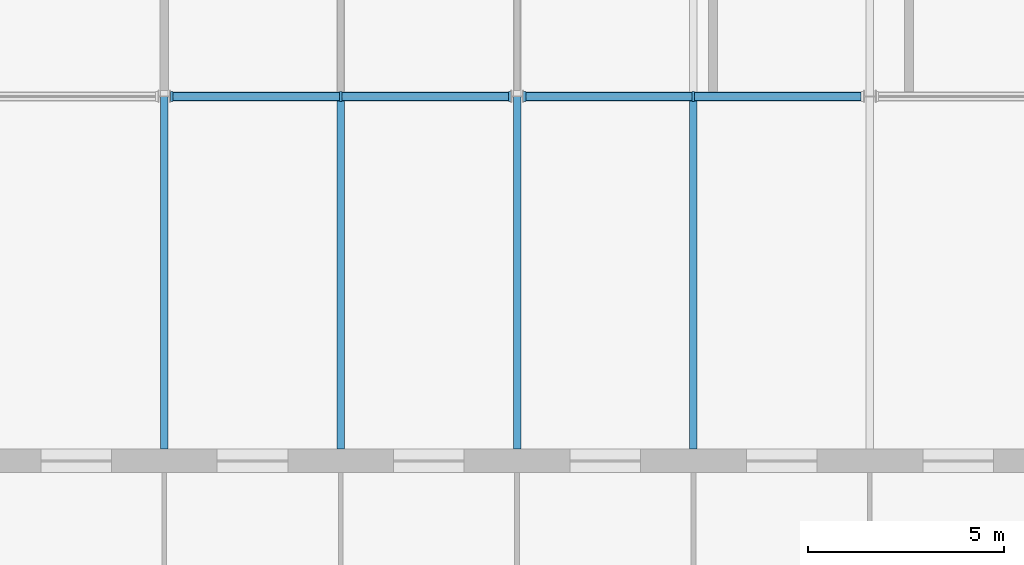
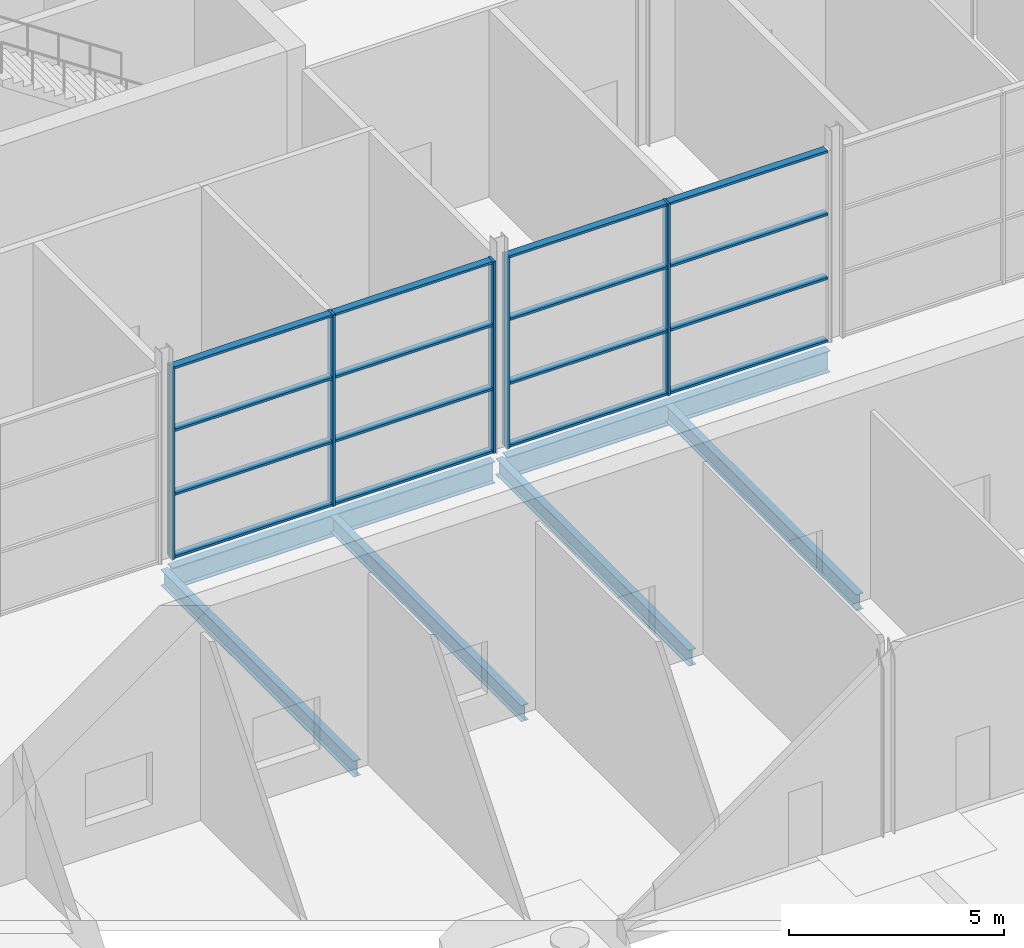
# One storey, part 40 of 97: 21 members, 6 beams, 2 elements without a shape of their own.
"""IFC4 building model written with IfcOpenShell, lengths in metres."""

from ifc_helpers import new_model, si_unit, direction, frame, origin, origin_2d, place, context, subcontext, project, spatial, rectangle, i_section, extrude, material, layer, layer_set, material_profile, profile_set, type_object, element, aggregate, save


model = new_model("IFC4")

# Units and contexts
model_context = context("Model", 3, precision=1e-05, world=origin(), true_north=direction((0.0, 1.0)))
body_context = subcontext(model_context, "Body", "Model", "MODEL_VIEW")
ifc_project = project(units=[si_unit("LENGTHUNIT", "METRE"), si_unit("AREAUNIT", "SQUARE_METRE"), si_unit("VOLUMEUNIT", "CUBIC_METRE"), si_unit("PLANEANGLEUNIT", "RADIAN"), si_unit("MASSUNIT", "GRAM", prefix="KILO")], contexts=[model_context])

# Site, building, storey
site_placement = place(None, origin())
site = spatial("IfcSite", under=ifc_project, at=site_placement, CompositionType="ELEMENT")
building_placement = place(site_placement, origin())
building = spatial("IfcBuilding", under=site, at=building_placement, Name="Corbel Yard City Hall", CompositionType="ELEMENT")
storey_placement = place(building_placement, origin())
storey = spatial("IfcBuildingStorey", under=building, at=storey_placement, Name="L00", CompositionType="ELEMENT", Elevation=0.0)

# Beams
ifc_material_1 = material(Name="Steel Grade 300 (300 MPa yield)", Category="steel")
ifc_material_profile_1 = material_profile(ifc_material_1, i_section(OverallWidth=0.19091796875, OverallDepth=0.4599609375, WebThickness=0.010009765625, FlangeThickness=0.01611328125, at=origin_2d()), Name="460UB82.1")
ifc_profile_set_1 = profile_set([ifc_material_profile_1], Name="Steel Grade 300 (300 MPa yield)")
beam_type_1 = type_object("IfcBeamType", Name="Beam 460UB82.1", PredefinedType="BEAM", material=ifc_profile_set_1)
for number, where, z_axis, x_axis, name in (
    (1, (45.0, 81.0, -0.47998046875), (0.0, 1.0, 0.0), (-1.0, 0.0, 0.0), "Beam 460UB82.1 SB2 L00deck"),
    (2, (54.0, 81.0, -0.47998046875), (0.0, 1.0, 0.0), (-1.0, 0.0, 0.0), "Beam 460UB82.1 SB2 L00deck"),
):
    element("IfcBeam", number, at=place(storey_placement, frame(where, z_axis=z_axis, x_axis=x_axis)), inside=storey, type_object=beam_type_1, Name=name, PredefinedType="BEAM", context=body_context, shape_type="SweptSolid", body=[
        extrude(i_section(OverallWidth=0.19091796875, OverallDepth=0.4599609375, WebThickness=0.010009765625, FlangeThickness=0.01611328125, at=origin_2d()), origin(), (0.0, 0.0, 1.0), 8.9921875),
    ])
ifc_material_profile_2 = material_profile(ifc_material_1, i_section(OverallWidth=0.22900390625, OverallDepth=0.612060546875, WebThickness=0.011962890625, FlangeThickness=0.01953125, at=origin_2d()), Name="610UB125")
ifc_profile_set_2 = profile_set([ifc_material_profile_2], Name="Steel Grade 300 (300 MPa yield)")
beam_type_2 = type_object("IfcBeamType", Name="Girder 610UB125", PredefinedType="BEAM", material=ifc_profile_set_2)
for number, where, z_axis, x_axis, name in (
    (3, (45.16357421875, 90.0, -0.555908203125), (1.0, 0.0, 0.0), (0.0, 1.0, 0.0), "Girder 610UB125 GB1 L00deck"),
    (4, (54.16357421875, 90.0, -0.555908203125), (1.0, 0.0, 0.0), (0.0, 1.0, 0.0), "Girder 610UB125 GB1 L00deck"),
):
    element("IfcBeam", number, at=place(storey_placement, frame(where, z_axis=z_axis, x_axis=x_axis)), inside=storey, type_object=beam_type_2, Name=name, PredefinedType="BEAM", context=body_context, shape_type="SweptSolid", body=[
        extrude(i_section(OverallWidth=0.22900390625, OverallDepth=0.612060546875, WebThickness=0.011962890625, FlangeThickness=0.01953125, at=origin_2d()), origin(), (0.0, 0.0, 1.0), 8.6728515625),
    ])

# Curtain wall, members
ifc_material_2 = material(Name="Aluminium extrusion", Category="aluminium")
ifc_layer = layer(ifc_material_2, 0.25)
ifc_layer_set = layer_set([ifc_layer], Name="Aluminium extrusion")
curtain_wall_type = type_object("IfcCurtainWallType", Name="CW4", PredefinedType="USERDEFINED", material=ifc_layer_set)
curtain_wall_1_placement = place(storey_placement, origin())
curtain_wall_1 = element("IfcCurtainWall", 5, at=curtain_wall_1_placement, inside=storey, type_object=curtain_wall_type, Name="Curtain wall CW4 L00", ObjectType="CURTAIN WALL", PredefinedType="USERDEFINED")
ifc_material_profile_3 = material_profile(ifc_material_2, rectangle(XDim=0.25, YDim=0.06494140625, at=origin_2d()), Name="250x65")
ifc_profile_set_3 = profile_set([ifc_material_profile_3], Name="Aluminium extrusion")
member_type_1 = type_object("IfcMemberType", Name="ML4", PredefinedType="MULLION", material=ifc_profile_set_3)
member_1_placement = place(storey_placement, frame((45.18994140625, 90.0, 0.0), z_axis=(0.0, 0.0, 1.0), x_axis=(0.0, 1.0, 0.0)))
member_1 = element("IfcMember", 6, at=member_1_placement, type_object=member_type_1, Name="CW4 mullion 1", PredefinedType="MULLION", context=body_context, shape_type="SweptSolid", body=[
    extrude(rectangle(XDim=0.25, YDim=0.06494140625, at=origin_2d()), origin(), (0.0, 0.0, 1.0), 5.444091796875),
])
member_2_placement = place(storey_placement, frame((49.5, 90.0, 0.0), z_axis=(0.0, 0.0, 1.0), x_axis=(0.0, 1.0, 0.0)))
member_2 = element("IfcMember", 7, at=member_2_placement, type_object=member_type_1, Name="CW4 mullion 2", PredefinedType="MULLION", context=body_context, shape_type="SweptSolid", body=[
    extrude(rectangle(XDim=0.25, YDim=0.06494140625, at=origin_2d()), origin(), (0.0, 0.0, 1.0), 5.444091796875),
])
member_3_placement = place(storey_placement, frame((53.81005859375, 90.0, 0.0), z_axis=(0.0, 0.0, 1.0), x_axis=(0.0, 1.0, 0.0)))
member_3 = element("IfcMember", 8, at=member_3_placement, type_object=member_type_1, Name="CW4 mullion 3", PredefinedType="MULLION", context=body_context, shape_type="SweptSolid", body=[
    extrude(rectangle(XDim=0.25, YDim=0.06494140625, at=origin_2d()), origin(), (0.0, 0.0, 1.0), 5.444091796875),
])

curtain_wall_2_placement = place(storey_placement, origin())
curtain_wall_2 = element("IfcCurtainWall", 9, at=curtain_wall_2_placement, inside=storey, type_object=curtain_wall_type, Name="Curtain wall CW4 L00", ObjectType="CURTAIN WALL", PredefinedType="USERDEFINED")
member_4_placement = place(storey_placement, frame((54.18994140625, 90.0, 0.0), z_axis=(0.0, 0.0, 1.0), x_axis=(0.0, 1.0, 0.0)))
member_4 = element("IfcMember", 10, at=member_4_placement, type_object=member_type_1, Name="CW4 mullion 1", PredefinedType="MULLION", context=body_context, shape_type="SweptSolid", body=[
    extrude(rectangle(XDim=0.25, YDim=0.06494140625, at=origin_2d()), origin(), (0.0, 0.0, 1.0), 5.444091796875),
])
member_5_placement = place(storey_placement, frame((58.5, 90.0, 0.0), z_axis=(0.0, 0.0, 1.0), x_axis=(0.0, 1.0, 0.0)))
member_5 = element("IfcMember", 11, at=member_5_placement, type_object=member_type_1, Name="CW4 mullion 2", PredefinedType="MULLION", context=body_context, shape_type="SweptSolid", body=[
    extrude(rectangle(XDim=0.25, YDim=0.06494140625, at=origin_2d()), origin(), (0.0, 0.0, 1.0), 5.444091796875),
])

# Beams
ifc_material_profile_4 = material_profile(ifc_material_1, i_section(OverallWidth=0.19091796875, OverallDepth=0.4599609375, WebThickness=0.010009765625, FlangeThickness=0.01611328125, at=origin_2d()), Name="460UB82.1")
ifc_profile_set_4 = profile_set([ifc_material_profile_4], Name="Steel Grade 300 (300 MPa yield)")
beam_type_3 = type_object("IfcBeamType", Name="Secondary beam 460UB82.1", PredefinedType="JOIST", material=ifc_profile_set_4)
for number, where, z_axis, x_axis, name in (
    (12, (49.5, 81.0, -0.47998046875), (0.0, 1.0, 0.0), (-1.0, 0.0, 0.0), "Secondary beam 460UB82.1 SB1 L00deck"),
    (13, (58.5, 81.0, -0.47998046875), (0.0, 1.0, 0.0), (-1.0, 0.0, 0.0), "Secondary beam 460UB82.1 SB1 L00deck"),
):
    element("IfcBeam", number, at=place(storey_placement, frame(where, z_axis=z_axis, x_axis=x_axis)), inside=storey, type_object=beam_type_3, Name=name, PredefinedType="JOIST", context=body_context, shape_type="SweptSolid", body=[
        extrude(i_section(OverallWidth=0.19091796875, OverallDepth=0.4599609375, WebThickness=0.010009765625, FlangeThickness=0.01611328125, at=origin_2d()), origin(), (0.0, 0.0, 1.0), 8.885498046875),
    ])

# Member
ifc_material_profile_5 = material_profile(ifc_material_2, rectangle(XDim=0.199951171875, YDim=0.06494140625, at=origin_2d()), Name="200x65")
ifc_profile_set_5 = profile_set([ifc_material_profile_5], Name="Aluminium extrusion")
member_type_2 = type_object("IfcMemberType", Name="TR4", PredefinedType="USERDEFINED", material=ifc_profile_set_5)
member_6_placement = place(storey_placement, frame((45.222412109375, 90.0, 0.032470703125), z_axis=(1.0, 0.0, 0.0), x_axis=(0.0, 1.0, 0.0)))
member_6 = element("IfcMember", 14, at=member_6_placement, type_object=member_type_2, Name="CW4 transom 1.1", ObjectType="TRANSOM", PredefinedType="USERDEFINED", context=body_context, shape_type="SweptSolid", body=[
    extrude(rectangle(XDim=0.199951171875, YDim=0.06494140625, at=origin_2d()), origin(), (0.0, 0.0, 1.0), 4.2451171875),
])

member_7_placement = place(storey_placement, frame((45.222412109375, 90.0, 1.814697265625), z_axis=(1.0, 0.0, 0.0), x_axis=(0.0, 1.0, 0.0)))
member_7 = element("IfcMember", 15, at=member_7_placement, type_object=member_type_2, Name="CW4 transom 1.2", ObjectType="TRANSOM", PredefinedType="USERDEFINED", context=body_context, shape_type="SweptSolid", body=[
    extrude(rectangle(XDim=0.199951171875, YDim=0.06494140625, at=origin_2d()), origin(), (0.0, 0.0, 1.0), 4.2451171875),
])

member_8_placement = place(storey_placement, frame((45.222412109375, 90.0, 3.62939453125), z_axis=(1.0, 0.0, 0.0), x_axis=(0.0, 1.0, 0.0)))
member_8 = element("IfcMember", 16, at=member_8_placement, type_object=member_type_2, Name="CW4 transom 1.3", ObjectType="TRANSOM", PredefinedType="USERDEFINED", context=body_context, shape_type="SweptSolid", body=[
    extrude(rectangle(XDim=0.199951171875, YDim=0.06494140625, at=origin_2d()), origin(), (0.0, 0.0, 1.0), 4.2451171875),
])

member_9_placement = place(storey_placement, frame((45.222412109375, 90.0, 5.41162109375), z_axis=(1.0, 0.0, 0.0), x_axis=(0.0, 1.0, 0.0)))
member_9 = element("IfcMember", 17, at=member_9_placement, type_object=member_type_2, Name="CW4 transom 1.4", ObjectType="TRANSOM", PredefinedType="USERDEFINED", context=body_context, shape_type="SweptSolid", body=[
    extrude(rectangle(XDim=0.199951171875, YDim=0.06494140625, at=origin_2d()), origin(), (0.0, 0.0, 1.0), 4.2451171875),
])

member_10_placement = place(storey_placement, frame((49.532470703125, 90.0, 0.032470703125), z_axis=(1.0, 0.0, 0.0), x_axis=(0.0, 1.0, 0.0)))
member_10 = element("IfcMember", 18, at=member_10_placement, type_object=member_type_2, Name="CW4 transom 2.1", ObjectType="TRANSOM", PredefinedType="USERDEFINED", context=body_context, shape_type="SweptSolid", body=[
    extrude(rectangle(XDim=0.199951171875, YDim=0.06494140625, at=origin_2d()), origin(), (0.0, 0.0, 1.0), 4.2451171875),
])

member_11_placement = place(storey_placement, frame((49.532470703125, 90.0, 1.814697265625), z_axis=(1.0, 0.0, 0.0), x_axis=(0.0, 1.0, 0.0)))
member_11 = element("IfcMember", 19, at=member_11_placement, type_object=member_type_2, Name="CW4 transom 2.2", ObjectType="TRANSOM", PredefinedType="USERDEFINED", context=body_context, shape_type="SweptSolid", body=[
    extrude(rectangle(XDim=0.199951171875, YDim=0.06494140625, at=origin_2d()), origin(), (0.0, 0.0, 1.0), 4.2451171875),
])

member_12_placement = place(storey_placement, frame((49.532470703125, 90.0, 3.62939453125), z_axis=(1.0, 0.0, 0.0), x_axis=(0.0, 1.0, 0.0)))
member_12 = element("IfcMember", 20, at=member_12_placement, type_object=member_type_2, Name="CW4 transom 2.3", ObjectType="TRANSOM", PredefinedType="USERDEFINED", context=body_context, shape_type="SweptSolid", body=[
    extrude(rectangle(XDim=0.199951171875, YDim=0.06494140625, at=origin_2d()), origin(), (0.0, 0.0, 1.0), 4.2451171875),
])

member_13_placement = place(storey_placement, frame((49.532470703125, 90.0, 5.41162109375), z_axis=(1.0, 0.0, 0.0), x_axis=(0.0, 1.0, 0.0)))
member_13 = element("IfcMember", 21, at=member_13_placement, type_object=member_type_2, Name="CW4 transom 2.4", ObjectType="TRANSOM", PredefinedType="USERDEFINED", context=body_context, shape_type="SweptSolid", body=[
    extrude(rectangle(XDim=0.199951171875, YDim=0.06494140625, at=origin_2d()), origin(), (0.0, 0.0, 1.0), 4.2451171875),
])

aggregate(curtain_wall_1, [member_1, member_2, member_3, member_6, member_7, member_8, member_9, member_10, member_11, member_12, member_13])

member_14_placement = place(storey_placement, frame((54.222412109375, 90.0, 0.032470703125), z_axis=(1.0, 0.0, 0.0), x_axis=(0.0, 1.0, 0.0)))
member_14 = element("IfcMember", 22, at=member_14_placement, type_object=member_type_2, Name="CW4 transom 1.1", ObjectType="TRANSOM", PredefinedType="USERDEFINED", context=body_context, shape_type="SweptSolid", body=[
    extrude(rectangle(XDim=0.199951171875, YDim=0.06494140625, at=origin_2d()), origin(), (0.0, 0.0, 1.0), 4.2451171875),
])

member_15_placement = place(storey_placement, frame((54.222412109375, 90.0, 1.814697265625), z_axis=(1.0, 0.0, 0.0), x_axis=(0.0, 1.0, 0.0)))
member_15 = element("IfcMember", 23, at=member_15_placement, type_object=member_type_2, Name="CW4 transom 1.2", ObjectType="TRANSOM", PredefinedType="USERDEFINED", context=body_context, shape_type="SweptSolid", body=[
    extrude(rectangle(XDim=0.199951171875, YDim=0.06494140625, at=origin_2d()), origin(), (0.0, 0.0, 1.0), 4.2451171875),
])

member_16_placement = place(storey_placement, frame((54.222412109375, 90.0, 3.62939453125), z_axis=(1.0, 0.0, 0.0), x_axis=(0.0, 1.0, 0.0)))
member_16 = element("IfcMember", 24, at=member_16_placement, type_object=member_type_2, Name="CW4 transom 1.3", ObjectType="TRANSOM", PredefinedType="USERDEFINED", context=body_context, shape_type="SweptSolid", body=[
    extrude(rectangle(XDim=0.199951171875, YDim=0.06494140625, at=origin_2d()), origin(), (0.0, 0.0, 1.0), 4.2451171875),
])

member_17_placement = place(storey_placement, frame((54.222412109375, 90.0, 5.41162109375), z_axis=(1.0, 0.0, 0.0), x_axis=(0.0, 1.0, 0.0)))
member_17 = element("IfcMember", 25, at=member_17_placement, type_object=member_type_2, Name="CW4 transom 1.4", ObjectType="TRANSOM", PredefinedType="USERDEFINED", context=body_context, shape_type="SweptSolid", body=[
    extrude(rectangle(XDim=0.199951171875, YDim=0.06494140625, at=origin_2d()), origin(), (0.0, 0.0, 1.0), 4.2451171875),
])

member_18_placement = place(storey_placement, frame((58.532470703125, 90.0, 0.032470703125), z_axis=(1.0, 0.0, 0.0), x_axis=(0.0, 1.0, 0.0)))
member_18 = element("IfcMember", 26, at=member_18_placement, type_object=member_type_2, Name="CW4 transom 2.1", ObjectType="TRANSOM", PredefinedType="USERDEFINED", context=body_context, shape_type="SweptSolid", body=[
    extrude(rectangle(XDim=0.199951171875, YDim=0.06494140625, at=origin_2d()), origin(), (0.0, 0.0, 1.0), 4.2451171875),
])

member_19_placement = place(storey_placement, frame((58.532470703125, 90.0, 1.814697265625), z_axis=(1.0, 0.0, 0.0), x_axis=(0.0, 1.0, 0.0)))
member_19 = element("IfcMember", 27, at=member_19_placement, type_object=member_type_2, Name="CW4 transom 2.2", ObjectType="TRANSOM", PredefinedType="USERDEFINED", context=body_context, shape_type="SweptSolid", body=[
    extrude(rectangle(XDim=0.199951171875, YDim=0.06494140625, at=origin_2d()), origin(), (0.0, 0.0, 1.0), 4.2451171875),
])

member_20_placement = place(storey_placement, frame((58.532470703125, 90.0, 3.62939453125), z_axis=(1.0, 0.0, 0.0), x_axis=(0.0, 1.0, 0.0)))
member_20 = element("IfcMember", 28, at=member_20_placement, type_object=member_type_2, Name="CW4 transom 2.3", ObjectType="TRANSOM", PredefinedType="USERDEFINED", context=body_context, shape_type="SweptSolid", body=[
    extrude(rectangle(XDim=0.199951171875, YDim=0.06494140625, at=origin_2d()), origin(), (0.0, 0.0, 1.0), 4.2451171875),
])

member_21_placement = place(storey_placement, frame((58.532470703125, 90.0, 5.41162109375), z_axis=(1.0, 0.0, 0.0), x_axis=(0.0, 1.0, 0.0)))
member_21 = element("IfcMember", 29, at=member_21_placement, type_object=member_type_2, Name="CW4 transom 2.4", ObjectType="TRANSOM", PredefinedType="USERDEFINED", context=body_context, shape_type="SweptSolid", body=[
    extrude(rectangle(XDim=0.199951171875, YDim=0.06494140625, at=origin_2d()), origin(), (0.0, 0.0, 1.0), 4.2451171875),
])

aggregate(curtain_wall_2, [member_4, member_5, member_14, member_15, member_16, member_17, member_18, member_19, member_20, member_21])

save(model, "model.ifc")
